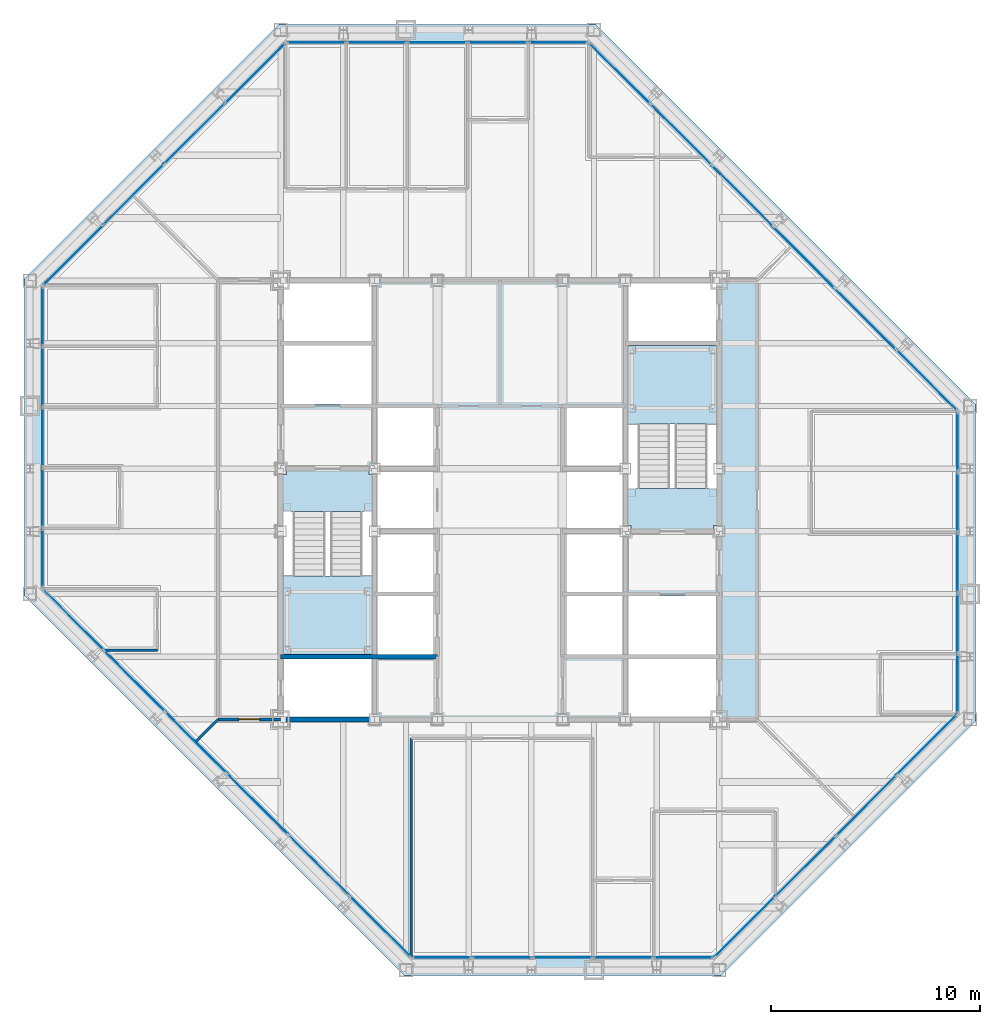
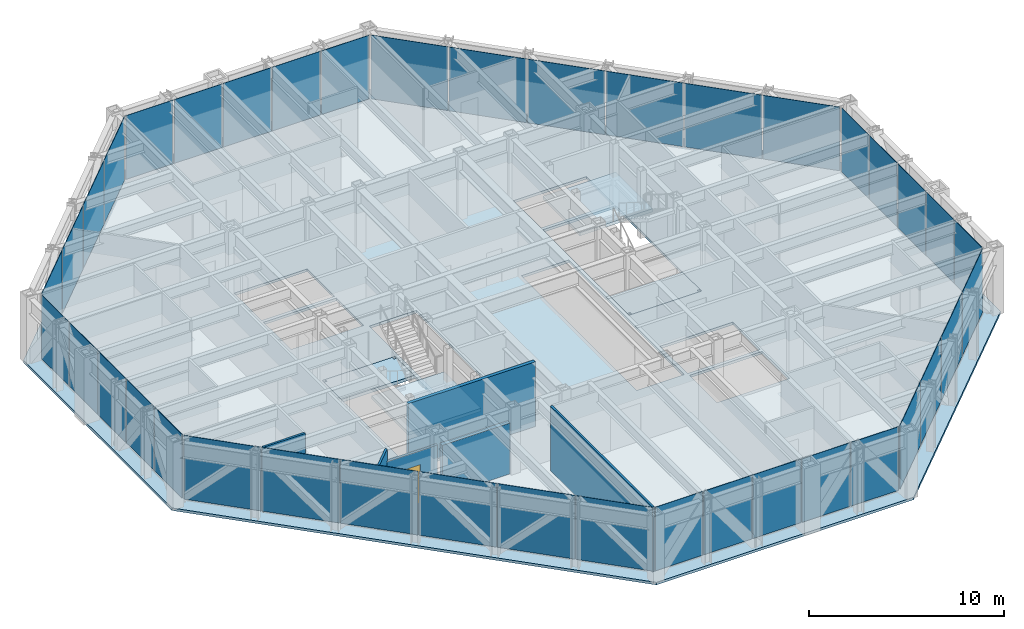
# One storey, part 10 of 16: 40 plates, 6 walls, 5 slabs, 1 door, 1 opening, 10 elements without a shape of their own.
"""IFC4 building model written with IfcOpenShell, lengths in metres."""

from ifc_helpers import new_model, si_unit, direction, frame, frame_2d, origin, origin_2d, place, context, subcontext, project, spatial, polyline, rectangle, outline, extrude, material, layer, layer_set, type_object, element, fill, aggregate, save


model = new_model("IFC4")

# Units and contexts
model_context = context("Model", 3, precision=1e-05, world=origin(), true_north=direction((0.0, 1.0)))
body_context = subcontext(model_context, "Body", "Model", "MODEL_VIEW")
ifc_project = project(units=[si_unit("LENGTHUNIT", "METRE"), si_unit("AREAUNIT", "SQUARE_METRE"), si_unit("VOLUMEUNIT", "CUBIC_METRE"), si_unit("PLANEANGLEUNIT", "RADIAN"), si_unit("MASSUNIT", "GRAM", prefix="KILO")], contexts=[model_context])

# Site, building, storey
site_placement = place(None, origin())
site = spatial("IfcSite", under=ifc_project, at=site_placement, CompositionType="ELEMENT")
building_placement = place(site_placement, origin())
building = spatial("IfcBuilding", under=site, at=building_placement, Name="Chuquiago Exchange Tower", CompositionType="ELEMENT")
storey_placement = place(building_placement, frame((0.0, 0.0, 230.699951171875)))
storey = spatial("IfcBuildingStorey", under=building, at=storey_placement, Name="L51", CompositionType="ELEMENT", Elevation=230.699951171875)

# Curtain wall, plate
ifc_material_1 = material(Name="Aluminium curtain wall system", Category="aluminium")
ifc_layer_1 = layer(ifc_material_1, 0.22509765625)
ifc_layer_set_1 = layer_set([ifc_layer_1], Name="CW2 office curtain wall")
curtain_wall_type_1 = type_object("IfcCurtainWallType", Name="CW2 office curtain wall", PredefinedType="NOTDEFINED", material=ifc_layer_set_1)
curtain_wall_1_placement = place(storey_placement, origin())
curtain_wall_1 = element("IfcCurtainWall", 1, at=curtain_wall_1_placement, inside=storey, type_object=curtain_wall_type_1, Name="CW2 curtain wall L51", PredefinedType="NOTDEFINED")
ifc_material_2 = material(Name="Glass, insulating unit", Category="glass")
ifc_layer_2 = layer(ifc_material_2, 0.030029296875)
ifc_layer_set_2 = layer_set([ifc_layer_2], Name="CW2-P panel 30")
plate_type_1 = type_object("IfcPlateType", Name="CW2-P panel 30", PredefinedType="CURTAIN_PANEL", material=ifc_layer_set_2)
plate_1_placement = place(storey_placement, frame((25.5, 0.60009765625, 0.06494140625), z_axis=(0.0, 0.0, 1.0), x_axis=(1.0, 0.0, 0.0)))
plate_1 = element("IfcPlate", 2, at=plate_1_placement, type_object=plate_type_1, Name="CW2 panel 3.1", PredefinedType="CURTAIN_PANEL", context=body_context, shape_type="SweptSolid", body=[
    extrude(rectangle(XDim=2.835693359375, YDim=0.030029296875, at=origin_2d()), origin(), (0.0, 0.0, 1.0), 3.97509765625),
])

curtain_wall_2_placement = place(storey_placement, origin())
curtain_wall_2 = element("IfcCurtainWall", 3, at=curtain_wall_2_placement, inside=storey, type_object=curtain_wall_type_1, Name="CW2 curtain wall L51", PredefinedType="NOTDEFINED")
plate_2_placement = place(storey_placement, frame((44.39990234375, 19.5, 0.06494140625), z_axis=(0.0, 0.0, 1.0), x_axis=(0.0, 1.0, 0.0)))
plate_2 = element("IfcPlate", 4, at=plate_2_placement, type_object=plate_type_1, Name="CW2 panel 3.1", PredefinedType="CURTAIN_PANEL", context=body_context, shape_type="SweptSolid", body=[
    extrude(rectangle(XDim=2.835693359375, YDim=0.030029296875, at=origin_2d()), origin(), (0.0, 0.0, 1.0), 3.97509765625),
])

curtain_wall_3_placement = place(storey_placement, origin())
curtain_wall_3 = element("IfcCurtainWall", 5, at=curtain_wall_3_placement, inside=storey, type_object=curtain_wall_type_1, Name="CW2 curtain wall L51", PredefinedType="NOTDEFINED")
plate_3_placement = place(storey_placement, frame((19.5, 44.39990234375, 0.06494140625), z_axis=(0.0, 0.0, 1.0), x_axis=(-1.0, 0.0, 0.0)))
plate_3 = element("IfcPlate", 6, at=plate_3_placement, type_object=plate_type_1, Name="CW2 panel 3.1", PredefinedType="CURTAIN_PANEL", context=body_context, shape_type="SweptSolid", body=[
    extrude(rectangle(XDim=2.835693359375, YDim=0.030029296875, at=origin_2d()), origin(), (0.0, 0.0, 1.0), 3.97509765625),
])

curtain_wall_4_placement = place(storey_placement, origin())
curtain_wall_4 = element("IfcCurtainWall", 7, at=curtain_wall_4_placement, inside=storey, type_object=curtain_wall_type_1, Name="CW2 curtain wall L51", PredefinedType="NOTDEFINED")
plate_4_placement = place(storey_placement, frame((0.60009765625, 25.5, 0.06494140625), z_axis=(0.0, 0.0, 1.0), x_axis=(0.0, -1.0, 0.0)))
plate_4 = element("IfcPlate", 8, at=plate_4_placement, type_object=plate_type_1, Name="CW2 panel 3.1", PredefinedType="CURTAIN_PANEL", context=body_context, shape_type="SweptSolid", body=[
    extrude(rectangle(XDim=2.835693359375, YDim=0.030029296875, at=origin_2d()), origin(), (0.0, 0.0, 1.0), 3.97509765625),
])

# Plate
ifc_material_3 = material(Name="Insulated spandrel panel, pale anodised aluminium", Category="aluminium")
ifc_layer_3 = layer(ifc_material_3, 0.030029296875)
ifc_layer_set_3 = layer_set([ifc_layer_3], Name="CW2-P spandrel panel 30")
plate_type_2 = type_object("IfcPlateType", Name="CW2-P spandrel panel 30", PredefinedType="CURTAIN_PANEL", material=ifc_layer_set_3)
plate_5_placement = place(storey_placement, frame((19.715087890625, 0.60009765625, 0.06494140625), z_axis=(0.0, 0.0, 1.0), x_axis=(1.0, 0.0, 0.0)))
plate_5 = element("IfcPlate", 9, at=plate_5_placement, type_object=plate_type_2, Name="CW2 panel 1.1", PredefinedType="CURTAIN_PANEL", context=body_context, shape_type="SweptSolid", body=[
    extrude(rectangle(XDim=2.802978515625, YDim=0.030029296875, at=origin_2d()), origin(), (0.0, 0.0, 1.0), 3.97509765625),
])

plate_6_placement = place(storey_placement, frame((22.599365234375, 0.60009765625, 0.06494140625), z_axis=(0.0, 0.0, 1.0), x_axis=(1.0, 0.0, 0.0)))
plate_6 = element("IfcPlate", 10, at=plate_6_placement, type_object=plate_type_2, Name="CW2 panel 2.1", PredefinedType="CURTAIN_PANEL", context=body_context, shape_type="SweptSolid", body=[
    extrude(rectangle(XDim=2.835693359375, YDim=0.030029296875, at=origin_2d()), origin(), (0.0, 0.0, 1.0), 3.97509765625),
])

plate_7_placement = place(storey_placement, frame((28.400634765625, 0.60009765625, 0.06494140625), z_axis=(0.0, 0.0, 1.0), x_axis=(1.0, 0.0, 0.0)))
plate_7 = element("IfcPlate", 11, at=plate_7_placement, type_object=plate_type_2, Name="CW2 panel 4.1", PredefinedType="CURTAIN_PANEL", context=body_context, shape_type="SweptSolid", body=[
    extrude(rectangle(XDim=2.835693359375, YDim=0.030029296875, at=origin_2d()), origin(), (0.0, 0.0, 1.0), 3.97509765625),
])

plate_8_placement = place(storey_placement, frame((31.284912109375, 0.60009765625, 0.06494140625), z_axis=(0.0, 0.0, 1.0), x_axis=(1.0, 0.0, 0.0)))
plate_8 = element("IfcPlate", 12, at=plate_8_placement, type_object=plate_type_2, Name="CW2 panel 5.1", PredefinedType="CURTAIN_PANEL", context=body_context, shape_type="SweptSolid", body=[
    extrude(rectangle(XDim=2.802978515625, YDim=0.030029296875, at=origin_2d()), origin(), (0.0, 0.0, 1.0), 3.97509765625),
])

aggregate(curtain_wall_1, [plate_5, plate_6, plate_1, plate_7, plate_8])

plate_9_placement = place(storey_placement, frame((44.39990234375, 13.715087890625, 0.06494140625), z_axis=(0.0, 0.0, 1.0), x_axis=(0.0, 1.0, 0.0)))
plate_9 = element("IfcPlate", 13, at=plate_9_placement, type_object=plate_type_2, Name="CW2 panel 1.1", PredefinedType="CURTAIN_PANEL", context=body_context, shape_type="SweptSolid", body=[
    extrude(rectangle(XDim=2.802978515625, YDim=0.030029296875, at=origin_2d()), origin(), (0.0, 0.0, 1.0), 3.97509765625),
])

plate_10_placement = place(storey_placement, frame((44.39990234375, 16.599365234375, 0.06494140625), z_axis=(0.0, 0.0, 1.0), x_axis=(0.0, 1.0, 0.0)))
plate_10 = element("IfcPlate", 14, at=plate_10_placement, type_object=plate_type_2, Name="CW2 panel 2.1", PredefinedType="CURTAIN_PANEL", context=body_context, shape_type="SweptSolid", body=[
    extrude(rectangle(XDim=2.835693359375, YDim=0.030029296875, at=origin_2d()), origin(), (0.0, 0.0, 1.0), 3.97509765625),
])

plate_11_placement = place(storey_placement, frame((44.39990234375, 22.400634765625, 0.06494140625), z_axis=(0.0, 0.0, 1.0), x_axis=(0.0, 1.0, 0.0)))
plate_11 = element("IfcPlate", 15, at=plate_11_placement, type_object=plate_type_2, Name="CW2 panel 4.1", PredefinedType="CURTAIN_PANEL", context=body_context, shape_type="SweptSolid", body=[
    extrude(rectangle(XDim=2.835693359375, YDim=0.030029296875, at=origin_2d()), origin(), (0.0, 0.0, 1.0), 3.97509765625),
])

plate_12_placement = place(storey_placement, frame((44.39990234375, 25.284912109375, 0.06494140625), z_axis=(0.0, 0.0, 1.0), x_axis=(0.0, 1.0, 0.0)))
plate_12 = element("IfcPlate", 16, at=plate_12_placement, type_object=plate_type_2, Name="CW2 panel 5.1", PredefinedType="CURTAIN_PANEL", context=body_context, shape_type="SweptSolid", body=[
    extrude(rectangle(XDim=2.802978515625, YDim=0.030029296875, at=origin_2d()), origin(), (0.0, 0.0, 1.0), 3.97509765625),
])

aggregate(curtain_wall_2, [plate_9, plate_10, plate_2, plate_11, plate_12])

plate_13_placement = place(storey_placement, frame((25.284912109375, 44.39990234375, 0.06494140625), z_axis=(0.0, 0.0, 1.0), x_axis=(-1.0, 0.0, 0.0)))
plate_13 = element("IfcPlate", 17, at=plate_13_placement, type_object=plate_type_2, Name="CW2 panel 1.1", PredefinedType="CURTAIN_PANEL", context=body_context, shape_type="SweptSolid", body=[
    extrude(rectangle(XDim=2.802978515625, YDim=0.030029296875, at=origin_2d()), origin(), (0.0, 0.0, 1.0), 3.97509765625),
])

plate_14_placement = place(storey_placement, frame((22.400634765625, 44.39990234375, 0.06494140625), z_axis=(0.0, 0.0, 1.0), x_axis=(-1.0, 0.0, 0.0)))
plate_14 = element("IfcPlate", 18, at=plate_14_placement, type_object=plate_type_2, Name="CW2 panel 2.1", PredefinedType="CURTAIN_PANEL", context=body_context, shape_type="SweptSolid", body=[
    extrude(rectangle(XDim=2.835693359375, YDim=0.030029296875, at=origin_2d()), origin(), (0.0, 0.0, 1.0), 3.97509765625),
])

plate_15_placement = place(storey_placement, frame((16.599365234375, 44.39990234375, 0.06494140625), z_axis=(0.0, 0.0, 1.0), x_axis=(-1.0, 0.0, 0.0)))
plate_15 = element("IfcPlate", 19, at=plate_15_placement, type_object=plate_type_2, Name="CW2 panel 4.1", PredefinedType="CURTAIN_PANEL", context=body_context, shape_type="SweptSolid", body=[
    extrude(rectangle(XDim=2.835693359375, YDim=0.030029296875, at=origin_2d()), origin(), (0.0, 0.0, 1.0), 3.97509765625),
])

plate_16_placement = place(storey_placement, frame((13.715087890625, 44.39990234375, 0.06494140625), z_axis=(0.0, 0.0, 1.0), x_axis=(-1.0, 0.0, 0.0)))
plate_16 = element("IfcPlate", 20, at=plate_16_placement, type_object=plate_type_2, Name="CW2 panel 5.1", PredefinedType="CURTAIN_PANEL", context=body_context, shape_type="SweptSolid", body=[
    extrude(rectangle(XDim=2.802978515625, YDim=0.030029296875, at=origin_2d()), origin(), (0.0, 0.0, 1.0), 3.97509765625),
])

aggregate(curtain_wall_3, [plate_13, plate_14, plate_3, plate_15, plate_16])

plate_17_placement = place(storey_placement, frame((0.60009765625, 31.284912109375, 0.06494140625), z_axis=(0.0, 0.0, 1.0), x_axis=(0.0, -1.0, 0.0)))
plate_17 = element("IfcPlate", 21, at=plate_17_placement, type_object=plate_type_2, Name="CW2 panel 1.1", PredefinedType="CURTAIN_PANEL", context=body_context, shape_type="SweptSolid", body=[
    extrude(rectangle(XDim=2.802978515625, YDim=0.030029296875, at=origin_2d()), origin(), (0.0, 0.0, 1.0), 3.97509765625),
])

plate_18_placement = place(storey_placement, frame((0.60009765625, 28.400634765625, 0.06494140625), z_axis=(0.0, 0.0, 1.0), x_axis=(0.0, -1.0, 0.0)))
plate_18 = element("IfcPlate", 22, at=plate_18_placement, type_object=plate_type_2, Name="CW2 panel 2.1", PredefinedType="CURTAIN_PANEL", context=body_context, shape_type="SweptSolid", body=[
    extrude(rectangle(XDim=2.835693359375, YDim=0.030029296875, at=origin_2d()), origin(), (0.0, 0.0, 1.0), 3.97509765625),
])

plate_19_placement = place(storey_placement, frame((0.60009765625, 22.599365234375, 0.06494140625), z_axis=(0.0, 0.0, 1.0), x_axis=(0.0, -1.0, 0.0)))
plate_19 = element("IfcPlate", 23, at=plate_19_placement, type_object=plate_type_2, Name="CW2 panel 4.1", PredefinedType="CURTAIN_PANEL", context=body_context, shape_type="SweptSolid", body=[
    extrude(rectangle(XDim=2.835693359375, YDim=0.030029296875, at=origin_2d()), origin(), (0.0, 0.0, 1.0), 3.97509765625),
])

plate_20_placement = place(storey_placement, frame((0.60009765625, 19.715087890625, 0.06494140625), z_axis=(0.0, 0.0, 1.0), x_axis=(0.0, -1.0, 0.0)))
plate_20 = element("IfcPlate", 24, at=plate_20_placement, type_object=plate_type_2, Name="CW2 panel 5.1", PredefinedType="CURTAIN_PANEL", context=body_context, shape_type="SweptSolid", body=[
    extrude(rectangle(XDim=2.802978515625, YDim=0.030029296875, at=origin_2d()), origin(), (0.0, 0.0, 1.0), 3.97509765625),
])

aggregate(curtain_wall_4, [plate_17, plate_18, plate_4, plate_19, plate_20])

# Curtain wall, plates
ifc_material_4 = material(Name="Aluminium curtain wall system", Category="aluminium")
ifc_layer_4 = layer(ifc_material_4, 0.199951171875)
ifc_layer_set_4 = layer_set([ifc_layer_4], Name="CW3 facet curtain wall")
curtain_wall_type_2 = type_object("IfcCurtainWallType", Name="CW3 facet curtain wall", PredefinedType="NOTDEFINED", material=ifc_layer_set_4)
curtain_wall_5_placement = place(storey_placement, origin())
curtain_wall_5 = element("IfcCurtainWall", 25, at=curtain_wall_5_placement, inside=storey, type_object=curtain_wall_type_2, Name="CW3 curtain wall L51", PredefinedType="NOTDEFINED")
ifc_material_5 = material(Name="Insulated spandrel panel, pale anodised aluminium", Category="aluminium")
ifc_layer_5 = layer(ifc_material_5, 0.030029296875)
ifc_layer_set_5 = layer_set([ifc_layer_5], Name="CW3-P spandrel panel 30")
plate_type_3 = type_object("IfcPlateType", Name="CW3-P spandrel panel 30", PredefinedType="CURTAIN_PANEL", material=ifc_layer_set_5)
plate_21_placement = place(storey_placement, frame((34.218994140625, 2.067626953125, 0.06494140625), z_axis=(0.0, 0.0, 1.0), x_axis=(0.707106781187, 0.707106781187, 0.0)))
plate_21 = element("IfcPlate", 26, at=plate_21_placement, type_object=plate_type_3, Name="CW3 panel 1.1", PredefinedType="CURTAIN_PANEL", context=body_context, shape_type="SweptSolid", body=[
    extrude(rectangle(XDim=4.020751953125, YDim=0.030029296875, at=origin_2d()), origin(), (0.0, 0.0, 1.0), 3.97509765625),
])
plate_22_placement = place(storey_placement, frame((37.11962890625, 4.96826171875, 0.06494140625), z_axis=(0.0, 0.0, 1.0), x_axis=(0.707106781187, 0.707106781187, 0.0)))
plate_22 = element("IfcPlate", 27, at=plate_22_placement, type_object=plate_type_3, Name="CW3 panel 2.1", PredefinedType="CURTAIN_PANEL", context=body_context, shape_type="SweptSolid", body=[
    extrude(rectangle(XDim=4.053466796875, YDim=0.030029296875, at=origin_2d()), origin(), (0.0, 0.0, 1.0), 3.97509765625),
])
plate_23_placement = place(storey_placement, frame((40.03173828125, 7.88037109375, 0.06494140625), z_axis=(0.0, 0.0, 1.0), x_axis=(0.707106781187, 0.707106781187, 0.0)))
plate_23 = element("IfcPlate", 28, at=plate_23_placement, type_object=plate_type_3, Name="CW3 panel 3.1", PredefinedType="CURTAIN_PANEL", context=body_context, shape_type="SweptSolid", body=[
    extrude(rectangle(XDim=4.053466796875, YDim=0.030029296875, at=origin_2d()), origin(), (0.0, 0.0, 1.0), 3.97509765625),
])
plate_24_placement = place(storey_placement, frame((42.932373046875, 10.781005859375, 0.06494140625), z_axis=(0.0, 0.0, 1.0), x_axis=(0.707106781187, 0.707106781187, 0.0)))
plate_24 = element("IfcPlate", 29, at=plate_24_placement, type_object=plate_type_3, Name="CW3 panel 4.1", PredefinedType="CURTAIN_PANEL", context=body_context, shape_type="SweptSolid", body=[
    extrude(rectangle(XDim=4.020751953125, YDim=0.030029296875, at=origin_2d()), origin(), (0.0, 0.0, 1.0), 3.97509765625),
])
aggregate(curtain_wall_5, [plate_21, plate_22, plate_23, plate_24])

curtain_wall_6_placement = place(storey_placement, origin())
curtain_wall_6 = element("IfcCurtainWall", 30, at=curtain_wall_6_placement, inside=storey, type_object=curtain_wall_type_2, Name="CW3 curtain wall L51", PredefinedType="NOTDEFINED")
plate_25_placement = place(storey_placement, frame((42.917724609375, 28.233642578125, 0.06494140625), z_axis=(0.0, 0.0, 1.0), x_axis=(-0.707106781187, 0.707106781187, 0.0)))
plate_25 = element("IfcPlate", 31, at=plate_25_placement, type_object=plate_type_3, Name="CW3 panel 1.1", PredefinedType="CURTAIN_PANEL", context=body_context, shape_type="SweptSolid", body=[
    extrude(rectangle(XDim=4.062255859375, YDim=0.030029296875, at=origin_2d()), origin(), (0.0, 0.0, 1.0), 3.97509765625),
])
plate_26_placement = place(storey_placement, frame((39.98779296875, 31.16357421875, 0.06494140625), z_axis=(0.0, 0.0, 1.0), x_axis=(-0.707106781187, 0.707106781187, 0.0)))
plate_26 = element("IfcPlate", 32, at=plate_26_placement, type_object=plate_type_3, Name="CW3 panel 2.1", PredefinedType="CURTAIN_PANEL", context=body_context, shape_type="SweptSolid", body=[
    extrude(rectangle(XDim=4.0947265625, YDim=0.030029296875, at=origin_2d()), origin(), (0.0, 0.0, 1.0), 3.97509765625),
])
plate_27_placement = place(storey_placement, frame((37.04638671875, 34.10498046875, 0.06494140625), z_axis=(0.0, 0.0, 1.0), x_axis=(-0.707106781187, 0.707106781187, 0.0)))
plate_27 = element("IfcPlate", 33, at=plate_27_placement, type_object=plate_type_3, Name="CW3 panel 3.1", PredefinedType="CURTAIN_PANEL", context=body_context, shape_type="SweptSolid", body=[
    extrude(rectangle(XDim=4.0947265625, YDim=0.030029296875, at=origin_2d()), origin(), (0.0, 0.0, 1.0), 3.97509765625),
])
plate_28_placement = place(storey_placement, frame((34.10498046875, 37.04638671875, 0.06494140625), z_axis=(0.0, 0.0, 1.0), x_axis=(-0.707106781187, 0.707106781187, 0.0)))
plate_28 = element("IfcPlate", 34, at=plate_28_placement, type_object=plate_type_3, Name="CW3 panel 4.1", PredefinedType="CURTAIN_PANEL", context=body_context, shape_type="SweptSolid", body=[
    extrude(rectangle(XDim=4.0947265625, YDim=0.030029296875, at=origin_2d()), origin(), (0.0, 0.0, 1.0), 3.97509765625),
])
plate_29_placement = place(storey_placement, frame((31.16357421875, 39.98779296875, 0.06494140625), z_axis=(0.0, 0.0, 1.0), x_axis=(-0.707106781187, 0.707106781187, 0.0)))
plate_29 = element("IfcPlate", 35, at=plate_29_placement, type_object=plate_type_3, Name="CW3 panel 5.1", PredefinedType="CURTAIN_PANEL", context=body_context, shape_type="SweptSolid", body=[
    extrude(rectangle(XDim=4.0947265625, YDim=0.030029296875, at=origin_2d()), origin(), (0.0, 0.0, 1.0), 3.97509765625),
])
plate_30_placement = place(storey_placement, frame((28.233642578125, 42.917724609375, 0.06494140625), z_axis=(0.0, 0.0, 1.0), x_axis=(-0.707106781187, 0.707106781187, 0.0)))
plate_30 = element("IfcPlate", 36, at=plate_30_placement, type_object=plate_type_3, Name="CW3 panel 6.1", PredefinedType="CURTAIN_PANEL", context=body_context, shape_type="SweptSolid", body=[
    extrude(rectangle(XDim=4.062255859375, YDim=0.030029296875, at=origin_2d()), origin(), (0.0, 0.0, 1.0), 3.97509765625),
])
aggregate(curtain_wall_6, [plate_25, plate_26, plate_27, plate_28, plate_29, plate_30])

curtain_wall_7_placement = place(storey_placement, origin())
curtain_wall_7 = element("IfcCurtainWall", 37, at=curtain_wall_7_placement, inside=storey, type_object=curtain_wall_type_2, Name="CW3 curtain wall L51", PredefinedType="NOTDEFINED")
plate_31_placement = place(storey_placement, frame((10.781005859375, 42.932373046875, 0.06494140625), z_axis=(0.0, 0.0, 1.0), x_axis=(-0.707106781187, -0.707106781187, 0.0)))
plate_31 = element("IfcPlate", 38, at=plate_31_placement, type_object=plate_type_3, Name="CW3 panel 1.1", PredefinedType="CURTAIN_PANEL", context=body_context, shape_type="SweptSolid", body=[
    extrude(rectangle(XDim=4.020751953125, YDim=0.030029296875, at=origin_2d()), origin(), (0.0, 0.0, 1.0), 3.97509765625),
])
plate_32_placement = place(storey_placement, frame((7.88037109375, 40.03173828125, 0.06494140625), z_axis=(0.0, 0.0, 1.0), x_axis=(-0.707106781187, -0.707106781187, 0.0)))
plate_32 = element("IfcPlate", 39, at=plate_32_placement, type_object=plate_type_3, Name="CW3 panel 2.1", PredefinedType="CURTAIN_PANEL", context=body_context, shape_type="SweptSolid", body=[
    extrude(rectangle(XDim=4.053466796875, YDim=0.030029296875, at=origin_2d()), origin(), (0.0, 0.0, 1.0), 3.97509765625),
])
plate_33_placement = place(storey_placement, frame((4.96826171875, 37.11962890625, 0.06494140625), z_axis=(0.0, 0.0, 1.0), x_axis=(-0.707106781187, -0.707106781187, 0.0)))
plate_33 = element("IfcPlate", 40, at=plate_33_placement, type_object=plate_type_3, Name="CW3 panel 3.1", PredefinedType="CURTAIN_PANEL", context=body_context, shape_type="SweptSolid", body=[
    extrude(rectangle(XDim=4.053466796875, YDim=0.030029296875, at=origin_2d()), origin(), (0.0, 0.0, 1.0), 3.97509765625),
])
plate_34_placement = place(storey_placement, frame((2.067626953125, 34.218994140625, 0.06494140625), z_axis=(0.0, 0.0, 1.0), x_axis=(-0.707106781187, -0.707106781187, 0.0)))
plate_34 = element("IfcPlate", 41, at=plate_34_placement, type_object=plate_type_3, Name="CW3 panel 4.1", PredefinedType="CURTAIN_PANEL", context=body_context, shape_type="SweptSolid", body=[
    extrude(rectangle(XDim=4.020751953125, YDim=0.030029296875, at=origin_2d()), origin(), (0.0, 0.0, 1.0), 3.97509765625),
])
aggregate(curtain_wall_7, [plate_31, plate_32, plate_33, plate_34])

curtain_wall_8_placement = place(storey_placement, origin())
curtain_wall_8 = element("IfcCurtainWall", 42, at=curtain_wall_8_placement, inside=storey, type_object=curtain_wall_type_2, Name="CW3 curtain wall L51", PredefinedType="NOTDEFINED")
plate_35_placement = place(storey_placement, frame((2.082275390625, 16.766357421875, 0.06494140625), z_axis=(0.0, 0.0, 1.0), x_axis=(0.707106781187, -0.707106781187, 0.0)))
plate_35 = element("IfcPlate", 43, at=plate_35_placement, type_object=plate_type_3, Name="CW3 panel 1.1", PredefinedType="CURTAIN_PANEL", context=body_context, shape_type="SweptSolid", body=[
    extrude(rectangle(XDim=4.062255859375, YDim=0.030029296875, at=origin_2d()), origin(), (0.0, 0.0, 1.0), 3.97509765625),
])
plate_36_placement = place(storey_placement, frame((5.01220703125, 13.83642578125, 0.06494140625), z_axis=(0.0, 0.0, 1.0), x_axis=(0.707106781187, -0.707106781187, 0.0)))
plate_36 = element("IfcPlate", 44, at=plate_36_placement, type_object=plate_type_3, Name="CW3 panel 2.1", PredefinedType="CURTAIN_PANEL", context=body_context, shape_type="SweptSolid", body=[
    extrude(rectangle(XDim=4.0947265625, YDim=0.030029296875, at=origin_2d()), origin(), (0.0, 0.0, 1.0), 3.97509765625),
])
plate_37_placement = place(storey_placement, frame((7.95361328125, 10.89501953125, 0.06494140625), z_axis=(0.0, 0.0, 1.0), x_axis=(0.707106781187, -0.707106781187, 0.0)))
plate_37 = element("IfcPlate", 45, at=plate_37_placement, type_object=plate_type_3, Name="CW3 panel 3.1", PredefinedType="CURTAIN_PANEL", context=body_context, shape_type="SweptSolid", body=[
    extrude(rectangle(XDim=4.0947265625, YDim=0.030029296875, at=origin_2d()), origin(), (0.0, 0.0, 1.0), 3.97509765625),
])
plate_38_placement = place(storey_placement, frame((10.89501953125, 7.95361328125, 0.06494140625), z_axis=(0.0, 0.0, 1.0), x_axis=(0.707106781187, -0.707106781187, 0.0)))
plate_38 = element("IfcPlate", 46, at=plate_38_placement, type_object=plate_type_3, Name="CW3 panel 4.1", PredefinedType="CURTAIN_PANEL", context=body_context, shape_type="SweptSolid", body=[
    extrude(rectangle(XDim=4.0947265625, YDim=0.030029296875, at=origin_2d()), origin(), (0.0, 0.0, 1.0), 3.97509765625),
])
plate_39_placement = place(storey_placement, frame((13.83642578125, 5.01220703125, 0.06494140625), z_axis=(0.0, 0.0, 1.0), x_axis=(0.707106781187, -0.707106781187, 0.0)))
plate_39 = element("IfcPlate", 47, at=plate_39_placement, type_object=plate_type_3, Name="CW3 panel 5.1", PredefinedType="CURTAIN_PANEL", context=body_context, shape_type="SweptSolid", body=[
    extrude(rectangle(XDim=4.0947265625, YDim=0.030029296875, at=origin_2d()), origin(), (0.0, 0.0, 1.0), 3.97509765625),
])
plate_40_placement = place(storey_placement, frame((16.766357421875, 2.082275390625, 0.06494140625), z_axis=(0.0, 0.0, 1.0), x_axis=(0.707106781187, -0.707106781187, 0.0)))
plate_40 = element("IfcPlate", 48, at=plate_40_placement, type_object=plate_type_3, Name="CW3 panel 6.1", PredefinedType="CURTAIN_PANEL", context=body_context, shape_type="SweptSolid", body=[
    extrude(rectangle(XDim=4.062255859375, YDim=0.030029296875, at=origin_2d()), origin(), (0.0, 0.0, 1.0), 3.97509765625),
])
aggregate(curtain_wall_8, [plate_35, plate_36, plate_37, plate_38, plate_39, plate_40])

# Slab
ifc_material_6 = material(Name="Concrete C30/37", Category="concrete")
ifc_layer_6 = layer(ifc_material_6, 0.159912109375)
ifc_layer_set_6 = layer_set([ifc_layer_6], Name="FS1 composite floor 160")
slab_type_1 = type_object("IfcSlabType", Name="FS1 composite floor 160", PredefinedType="FLOOR", material=ifc_layer_set_6)
slab_1_placement = place(storey_placement, frame((0.0, 0.0, -0.159912109375)))
element("IfcSlab", 49, at=slab_1_placement, inside=storey, type_object=slab_type_1, Name="L51 floor slab", PredefinedType="FLOOR", context=body_context, shape_type="SweptSolid", body=[
    extrude(outline(polyline([(17.896484375, -0.25), (-0.25, 17.896484375), (-0.25, 33.103515625), (11.896484375, 45.25), (27.103515625, 45.25), (45.25, 27.103515625), (45.25, 11.896484375), (33.103515625, -0.25), (17.896484375, -0.25)]), holes=[polyline([(16.39990234375, 15.10009765625), (12.10009765625, 15.10009765625), (12.10009765625, 23.89990234375), (16.39990234375, 23.89990234375), (16.39990234375, 15.10009765625)]), polyline([(32.89990234375, 21.10009765625), (28.60009765625, 21.10009765625), (28.60009765625, 29.89990234375), (32.89990234375, 29.89990234375), (32.89990234375, 21.10009765625)]), polyline([(16.39990234375, 12.10009765625), (12.10009765625, 12.10009765625), (12.10009765625, 14.89990234375), (16.39990234375, 14.89990234375), (16.39990234375, 12.10009765625)]), polyline([(16.39990234375, 30.10009765625), (12.10009765625, 30.10009765625), (12.10009765625, 32.89990234375), (16.39990234375, 32.89990234375), (16.39990234375, 30.10009765625)]), polyline([(32.89990234375, 12.10009765625), (28.60009765625, 12.10009765625), (28.60009765625, 14.89990234375), (32.89990234375, 14.89990234375), (32.89990234375, 12.10009765625)]), polyline([(32.89990234375, 30.10009765625), (28.60009765625, 30.10009765625), (28.60009765625, 32.89990234375), (32.89990234375, 32.89990234375), (32.89990234375, 30.10009765625)]), polyline([(16.39990234375, 27.10009765625), (12.10009765625, 27.10009765625), (12.10009765625, 29.89990234375), (16.39990234375, 29.89990234375), (16.39990234375, 27.10009765625)]), polyline([(32.89990234375, 15.10009765625), (28.60009765625, 15.10009765625), (28.60009765625, 17.89990234375), (32.89990234375, 17.89990234375), (32.89990234375, 15.10009765625)]), polyline([(19.39990234375, 15.10009765625), (16.60009765625, 15.10009765625), (16.60009765625, 26.89990234375), (19.39990234375, 26.89990234375), (19.39990234375, 15.10009765625)]), polyline([(28.39990234375, 15.10009765625), (25.60009765625, 15.10009765625), (25.60009765625, 26.89990234375), (28.39990234375, 26.89990234375), (28.39990234375, 15.10009765625)])]), origin(), (0.0, 0.0, 1.0), 0.159912109375),
])

# Stair, slabs
ifc_material_7 = material(Name="Concrete C30/37, precast", Category="concrete")
stair_type_1 = type_object("IfcStairType", Name="ST1 half-turn stair 4200", PredefinedType="HALF_TURN_STAIR", material=ifc_material_7)
stair_1_placement = place(storey_placement, origin())
stair_1 = element("IfcStair", 50, at=stair_1_placement, inside=storey, type_object=stair_type_1, Name="Stair ST1 L51", PredefinedType="HALF_TURN_STAIR")
ifc_material_8 = material(Name="Concrete C30/37, precast", Category="concrete")
ifc_layer_7 = layer(ifc_material_8, 0.199951171875)
ifc_layer_set_7 = layer_set([ifc_layer_7], Name="ST-L landing 200")
slab_type_2 = type_object("IfcSlabType", Name="ST-L landing 200", PredefinedType="LANDING", material=ifc_layer_set_7)
slab_2_placement = place(storey_placement, frame((0.0, 0.0, -0.199951171875)))
slab_2 = element("IfcSlab", 51, at=slab_2_placement, type_object=slab_type_2, Name="ST1 landing 1", PredefinedType="LANDING", context=body_context, shape_type="SweptSolid", body=[
    extrude(outline(polyline([(12.27490234375, 23.89990234375), (16.22509765625, 23.89990234375), (16.22509765625, 23.72509765625), (16.39990234375, 23.72509765625), (16.39990234375, 21.949951171875), (12.10009765625, 21.949951171875), (12.10009765625, 23.72509765625), (12.27490234375, 23.72509765625), (12.27490234375, 23.89990234375)])), origin(), (0.0, 0.0, 1.0), 0.199951171875),
])
slab_3_placement = place(storey_placement, frame((0.0, 0.0, 1.900146484375)))
slab_3 = element("IfcSlab", 52, at=slab_3_placement, type_object=slab_type_2, Name="ST1 landing 2", PredefinedType="LANDING", context=body_context, shape_type="SweptSolid", body=[
    extrude(outline(polyline([(12.10009765625, 18.8701171875), (16.39990234375, 18.8701171875), (16.39990234375, 15.10009765625), (12.10009765625, 15.10009765625), (12.10009765625, 18.8701171875)])), origin(), (0.0, 0.0, 1.0), 0.199951171875),
])
aggregate(stair_1, [slab_2, slab_3])

ifc_material_9 = material(Name="Concrete C30/37, precast", Category="concrete")
stair_type_2 = type_object("IfcStairType", Name="ST2 half-turn stair 4200", PredefinedType="HALF_TURN_STAIR", material=ifc_material_9)
stair_2_placement = place(storey_placement, origin())
stair_2 = element("IfcStair", 53, at=stair_2_placement, inside=storey, type_object=stair_type_2, Name="Stair ST2 L51", PredefinedType="HALF_TURN_STAIR")
slab_4_placement = place(storey_placement, frame((0.0, 0.0, -0.199951171875)))
slab_4 = element("IfcSlab", 54, at=slab_4_placement, type_object=slab_type_2, Name="ST2 landing 1", PredefinedType="LANDING", context=body_context, shape_type="SweptSolid", body=[
    extrude(outline(polyline([(32.72509765625, 21.27490234375), (32.72509765625, 21.10009765625), (28.77490234375, 21.10009765625), (28.77490234375, 21.27490234375), (28.60009765625, 21.27490234375), (28.60009765625, 23.050048828125), (32.89990234375, 23.050048828125), (32.89990234375, 21.27490234375), (32.72509765625, 21.27490234375)])), origin(), (0.0, 0.0, 1.0), 0.199951171875),
])
slab_5_placement = place(storey_placement, frame((0.0, 0.0, 1.900146484375)))
slab_5 = element("IfcSlab", 55, at=slab_5_placement, type_object=slab_type_2, Name="ST2 landing 2", PredefinedType="LANDING", context=body_context, shape_type="SweptSolid", body=[
    extrude(outline(polyline([(28.60009765625, 29.89990234375), (32.89990234375, 29.89990234375), (32.89990234375, 26.1298828125), (28.60009765625, 26.1298828125), (28.60009765625, 29.89990234375)])), origin(), (0.0, 0.0, 1.0), 0.199951171875),
])
aggregate(stair_2, [slab_4, slab_5])

# Wall
ifc_material_10 = material(Name="Concrete masonry, fully grouted", Category="masonry")
ifc_layer_8 = layer(ifc_material_10, 0.25)
ifc_layer_set_8 = layer_set([ifc_layer_8], Name="W1 core wall 250")
wall_type_1 = type_object("IfcWallType", Name="W1 core wall 250", PredefinedType="SOLIDWALL", material=ifc_layer_set_8)
wall_1_placement = place(storey_placement, frame((12.25, 12.0, 0.0), z_axis=(0.0, 0.0, 1.0), x_axis=(1.0, 0.0, 0.0)))
element("IfcWall", 56, at=wall_1_placement, inside=storey, type_object=wall_type_1, Name="CW-L51-01-0", PredefinedType="SOLIDWALL", context=body_context, shape_type="SweptSolid", body=[
    extrude(rectangle(XDim=4.0, YDim=0.25, at=frame_2d((2.0, 0.0))), origin(), (0.0, 0.0, 1.0), 3.181640625),
])

# Wall, opening, door
ifc_material_11 = material(Name="Gypsum board on steel studs, acoustic insulation", Category="steel")
ifc_layer_9 = layer(ifc_material_11, 0.14990234375)
ifc_layer_set_9 = layer_set([ifc_layer_9], Name="W11 corridor wall 150")
wall_type_2 = type_object("IfcWallType", Name="W11 corridor wall 150", PredefinedType="PARTITIONING", material=ifc_layer_set_9)
wall_2_placement = place(storey_placement, frame((9.0, 12.0, 0.0), z_axis=(0.0, 0.0, 1.0), x_axis=(1.0, 0.0, 0.0)))
wall_2 = element("IfcWall", 57, at=wall_2_placement, inside=storey, type_object=wall_type_2, Name="PW-L51-GWS0", PredefinedType="PARTITIONING", context=body_context, shape_type="SweptSolid", body=[
    extrude(rectangle(XDim=3.0, YDim=0.14990234375, at=frame_2d((1.5, 0.0))), origin(), (0.0, 0.0, 1.0), 3.2705078125),
])
opening_placement = place(wall_2_placement, frame((1.0, 0.0, 0.0)))
opening = element("IfcOpeningElement", 58, at=opening_placement, cuts=wall_2, Name="Opening L51-035", PredefinedType="OPENING", context=body_context, shape_type="SweptSolid", body=[
    extrude(rectangle(XDim=1.0, YDim=2.39990234375, at=frame_2d((0.5, 1.199951171875))), frame((0.0, 0.0849609375, 0.0), z_axis=(0.0, -1.0, 0.0), x_axis=(1.0, 0.0, 0.0)), (0.0, 0.0, 1.0), 0.169921875),
])
ifc_material_12 = material(Name="Timber door, laminate faced", Category="wood")
door_type = type_object("IfcDoorType", Name="D9 room door 1000x2400", OperationType="SINGLE_SWING_LEFT", PredefinedType="DOOR", material=ifc_material_12)
door_placement = place(opening_placement, frame((1.0, 0.0, 0.0), z_axis=(0.0, 0.0, 1.0), x_axis=(-1.0, 0.0, 0.0)))
door = element("IfcDoor", 59, at=door_placement, inside=storey, type_object=door_type, Name="Team area door", OperationType="SINGLE_SWING_LEFT", OverallHeight=2.39990234375, OverallWidth=1.0, PredefinedType="DOOR", context=body_context, shape_type="SweptSolid", body=[
    extrude(rectangle(XDim=1.0, YDim=2.39990234375, at=frame_2d((0.5, 1.199951171875))), frame((0.0, 0.02490234375, 0.0), z_axis=(0.0, -1.0, 0.0), x_axis=(1.0, 0.0, 0.0)), (0.0, 0.0, 1.0), 0.050048828125),
])
fill(opening, door)

# Walls
ifc_material_13 = material(Name="Concrete masonry, fully grouted", Category="masonry")
ifc_layer_10 = layer(ifc_material_13, 0.199951171875)
ifc_layer_set_10 = layer_set([ifc_layer_10], Name="W2 shaft wall 200")
wall_type_3 = type_object("IfcWallType", Name="W2 shaft wall 200", PredefinedType="SOLIDWALL", material=ifc_layer_set_10)
wall_3_placement = place(storey_placement, frame((12.0, 15.0, 0.0), z_axis=(0.0, 0.0, 1.0), x_axis=(1.0, 0.0, 0.0)))
element("IfcWall", 60, at=wall_3_placement, inside=storey, type_object=wall_type_3, Name="CW-L51-03-0", PredefinedType="SOLIDWALL", context=body_context, shape_type="SweptSolid", body=[
    extrude(rectangle(XDim=7.5, YDim=0.199951171875, at=frame_2d((3.75, 0.0))), origin(), (0.0, 0.0, 1.0), 4.0400390625),
])
ifc_material_14 = material(Name="Gypsum board on steel studs", Category="steel")
ifc_layer_11 = layer(ifc_material_14, 0.1201171875)
ifc_layer_set_11 = layer_set([ifc_layer_11], Name="W4 partition 120")
wall_type_4 = type_object("IfcWallType", Name="W4 partition 120", PredefinedType="PARTITIONING", material=ifc_layer_set_11)
wall_4_placement = place(storey_placement, frame((18.24853515625, 0.666015625, 0.0), z_axis=(0.0, 0.0, 1.0), x_axis=(0.0, 1.0, 0.0)))
element("IfcWall", 61, at=wall_4_placement, inside=storey, type_object=wall_type_4, Name="PW-L51-S01825", PredefinedType="PARTITIONING", context=body_context, shape_type="SweptSolid", body=[
    extrude(rectangle(XDim=10.43408203125, YDim=0.1201171875, at=frame_2d((5.217041015625, 0.0))), origin(), (0.0, 0.0, 1.0), 4.0400390625),
])
wall_5_placement = place(storey_placement, frame((3.607421875, 15.30712890625, 0.0), z_axis=(0.0, 0.0, 1.0), x_axis=(1.0, 0.0, 0.0)))
element("IfcWall", 62, at=wall_5_placement, inside=storey, type_object=wall_type_4, Name="PW-L51-W01531", PredefinedType="PARTITIONING", context=body_context, shape_type="SweptSolid", body=[
    extrude(rectangle(XDim=2.49267578125, YDim=0.1201171875, at=frame_2d((1.246337890625, 0.0))), origin(), (0.0, 0.0, 1.0), 4.0400390625),
])
wall_6_placement = place(storey_placement, frame((9.0, 12.0, 0.0), z_axis=(0.0, 0.0, 1.0), x_axis=(-0.707106781187, -0.707106781187, 0.0)))
element("IfcWall", 63, at=wall_6_placement, inside=storey, type_object=wall_type_4, Name="PW-L51-QSW", PredefinedType="PARTITIONING", context=body_context, shape_type="SweptSolid", body=[
    extrude(rectangle(XDim=1.4892578125, YDim=0.1201171875, at=frame_2d((0.74462890625, 0.0))), origin(), (0.0, 0.0, 1.0), 4.0400390625),
])

save(model, "model.ifc")
